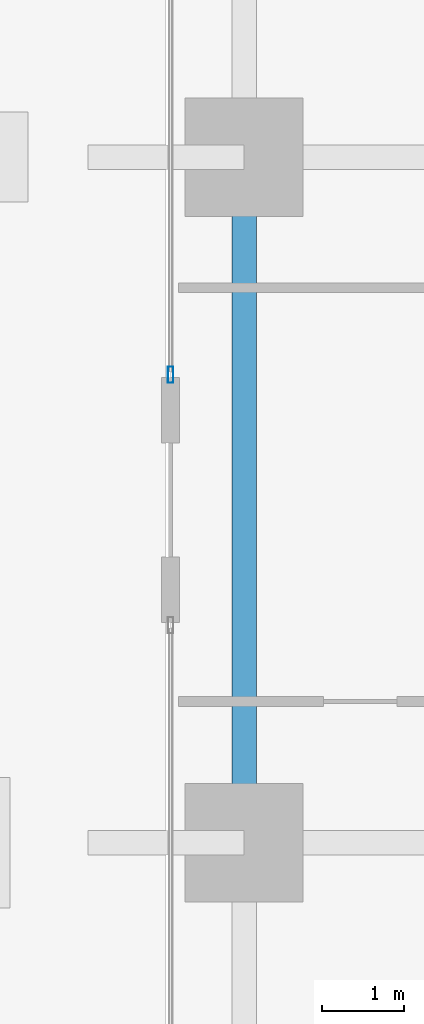
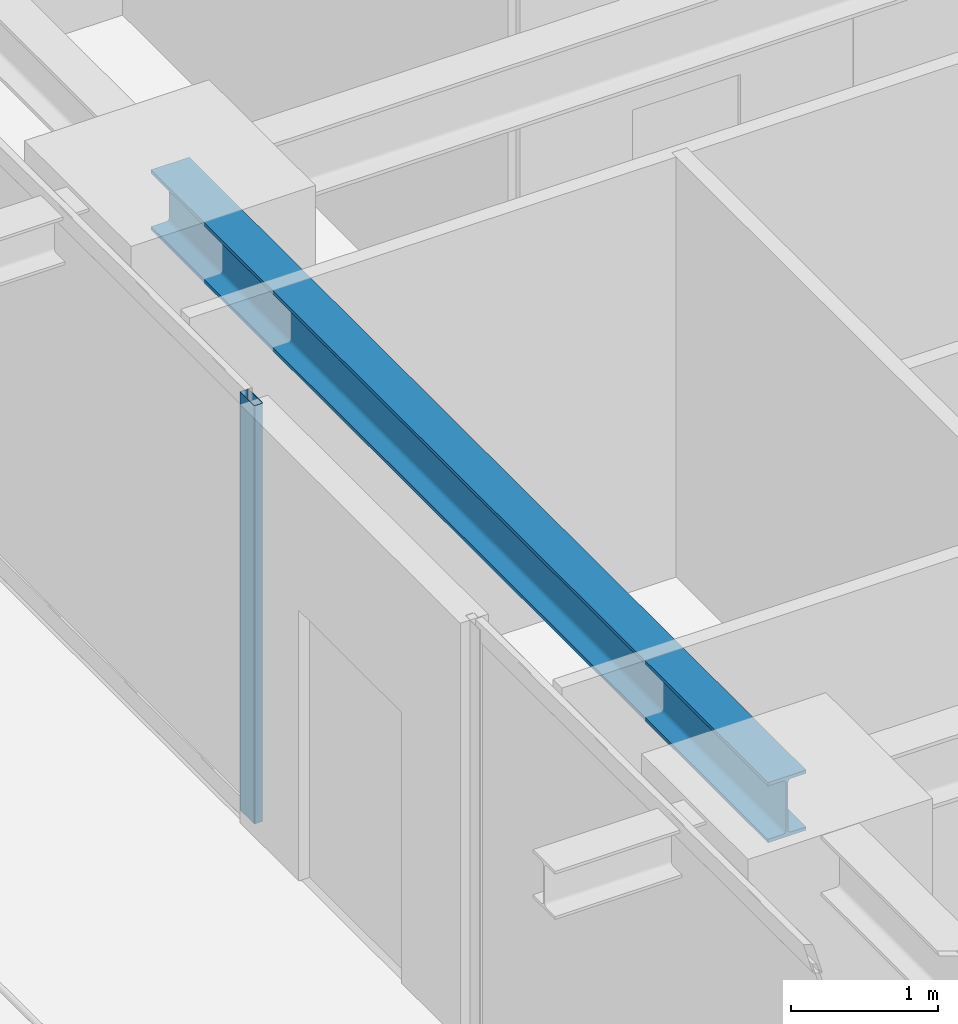
# One storey, part 9 of 41: 1 beam, 1 member, 1 element without a shape of its own.
"""IFC4 building model written with IfcOpenShell, lengths in metres."""

from ifc_helpers import new_model, si_unit, direction, frame, origin, origin_2d, place, context, subcontext, project, spatial, hollow_rectangle, i_section, extrude, source, transform, mapped, material, layer, layer_set, material_profile, profile_set, type_object, element, aggregate, save


model = new_model("IFC4")

# Units and contexts
model_context = context("Model", 3, precision=1e-05, world=origin(), true_north=direction((0.0, 1.0)))
body_context = subcontext(model_context, "Body", "Model", "MODEL_VIEW")
ifc_project = project(units=[si_unit("LENGTHUNIT", "METRE"), si_unit("AREAUNIT", "SQUARE_METRE"), si_unit("VOLUMEUNIT", "CUBIC_METRE"), si_unit("PLANEANGLEUNIT", "RADIAN"), si_unit("MASSUNIT", "GRAM", prefix="KILO")], contexts=[model_context])

# Site, building, storey
site_placement = place(None, origin())
site = spatial("IfcSite", under=ifc_project, at=site_placement, CompositionType="ELEMENT")
building_placement = place(site_placement, origin())
building = spatial("IfcBuilding", under=site, at=building_placement, Name="Serunith Strait Residences", CompositionType="ELEMENT")
storey_placement = place(building_placement, frame((0.0, 0.0, 75.449951171875)))
storey = spatial("IfcBuildingStorey", under=building, at=storey_placement, Name="L18", CompositionType="ELEMENT", Elevation=75.449951171875)

# Beam
ifc_material_1 = material(Name="Steel S355J2", Category="steel")
ifc_material_profile_1 = material_profile(ifc_material_1, i_section(OverallWidth=0.300048828125, OverallDepth=0.5, WebThickness=0.014404296875, FlangeThickness=0.028076171875, FilletRadius=0.027099609375, at=origin_2d()), Name="HEB 500")
ifc_profile_set_1 = profile_set([ifc_material_profile_1], Name="Steel S355J2")
beam_type = type_object("IfcBeamType", Name="BM-HEB500", PredefinedType="BEAM", material=ifc_profile_set_1)
shared_shape_1 = source(origin(), body_context, "Body", "SweptSolid", [
    extrude(i_section(OverallWidth=0.300048828125, OverallDepth=0.5, WebThickness=0.014404296875, FlangeThickness=0.028076171875, FilletRadius=0.027099609375, at=origin_2d()), origin(), (0.0, 0.0, 1.0), 8.39990234375),
])
beam_placement = place(storey_placement, frame((6.89990234375, 29.39990234375, 3.237060546875), z_axis=(0.0, -1.0, 0.0), x_axis=(1.0, 0.0, 0.0)))
element("IfcBeam", 1, at=beam_placement, inside=storey, type_object=beam_type, Name="L18 Perimeter Ring Beam 14", PredefinedType="BEAM", context=body_context, shape_type="MappedRepresentation", body=[
    mapped(shared_shape_1, transform((0.0, 0.0, 0.0), scale=1.0)),
])

# Curtain wall, member
ifc_material_2 = material(Name="Pale-Champagne Anodised Aluminium", Category="aluminium")
ifc_layer = layer(ifc_material_2, 0.199951171875, Name="Pale-Champagne Anodised Aluminium")
ifc_layer_set = layer_set([ifc_layer], Name="Pale-Champagne Anodised Aluminium")
curtain_wall_type = type_object("IfcCurtainWallType", Name="CW-SYS1", PredefinedType="NOTDEFINED", material=ifc_layer_set)
curtain_wall_placement = place(storey_placement, origin())
curtain_wall = element("IfcCurtainWall", 2, at=curtain_wall_placement, inside=storey, type_object=curtain_wall_type, Name="L18 W Unitised Fritted Curtain Wall", PredefinedType="NOTDEFINED")
ifc_material_profile_2 = material_profile(ifc_material_2, hollow_rectangle(XDim=0.070068359375, YDim=0.199951171875, WallThickness=0.00390625, InnerFilletRadius=0.006103515625, OuterFilletRadius=0.010009765625, at=origin_2d()), Name="ALU 200x70x4")
ifc_profile_set_2 = profile_set([ifc_material_profile_2], Name="Pale-Champagne Anodised Aluminium")
member_type = type_object("IfcMemberType", Name="CW-SYS1-MULL", PredefinedType="MULLION", material=ifc_profile_set_2)
shared_shape_2 = source(origin(), body_context, "Body", "SweptSolid", [
    extrude(hollow_rectangle(XDim=0.070068359375, YDim=0.199951171875, WallThickness=0.00390625, InnerFilletRadius=0.006103515625, OuterFilletRadius=0.010009765625, at=origin_2d()), origin(), (0.0, 0.0, 1.0), 3.47509765625),
])
member_placement = place(storey_placement, frame((6.0, 26.735107421875, 0.0), z_axis=(0.0, 0.0, 1.0), x_axis=(1.0, 0.0, 0.0)))
member = element("IfcMember", 3, at=member_placement, type_object=member_type, Name="CW-1 mullion 3", PredefinedType="MULLION", context=body_context, shape_type="MappedRepresentation", body=[
    mapped(shared_shape_2, transform((0.0, 0.0, 0.0), scale=1.0)),
])
aggregate(curtain_wall, [member])

save(model, "model.ifc")
